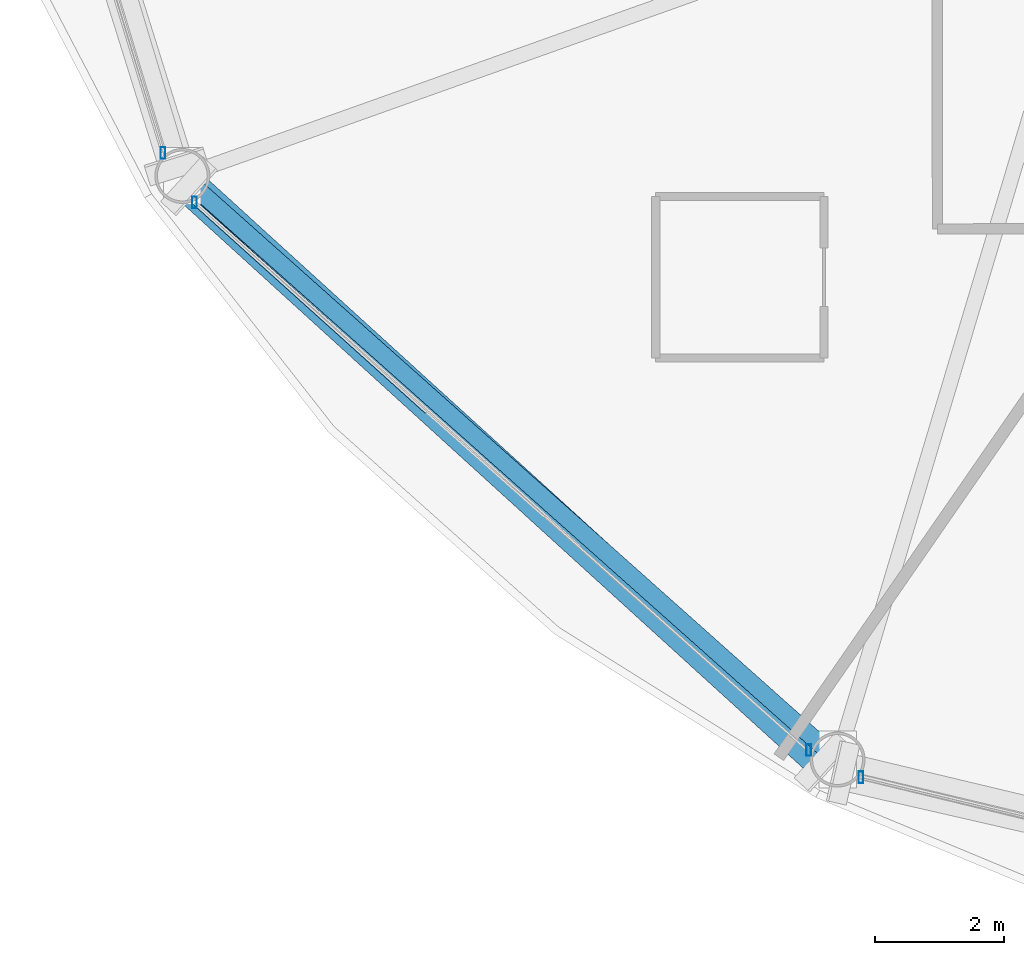
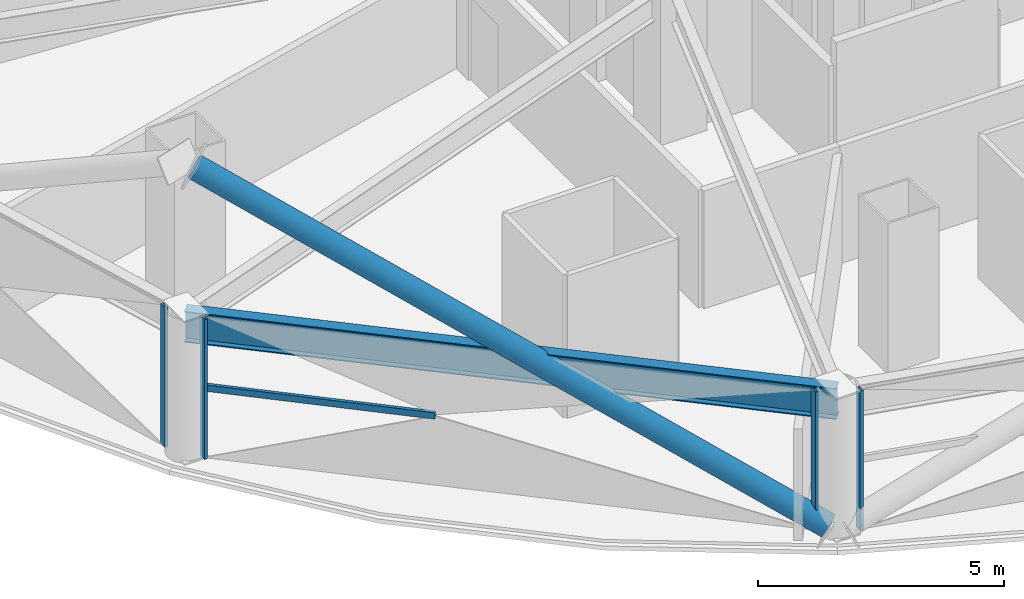
# One storey, part 2 of 33: 6 members, 1 beam, 3 elements without a shape of their own.
"""IFC4 building model written with IfcOpenShell, lengths in metres."""

from ifc_helpers import new_model, si_unit, direction, frame, origin, origin_2d, place, context, subcontext, project, spatial, hollow_rectangle, hollow_circle, i_section, extrude, material, layer, layer_set, material_profile, profile_set, type_object, element, aggregate, save


model = new_model("IFC4")

# Units and contexts
model_context = context("Model", 3, precision=1e-05, world=origin(), true_north=direction((0.0, 1.0)))
body_context = subcontext(model_context, "Body", "Model", "MODEL_VIEW")
ifc_project = project(units=[si_unit("LENGTHUNIT", "METRE"), si_unit("AREAUNIT", "SQUARE_METRE"), si_unit("VOLUMEUNIT", "CUBIC_METRE"), si_unit("PLANEANGLEUNIT", "RADIAN"), si_unit("MASSUNIT", "GRAM", prefix="KILO")], contexts=[model_context])

# Site, building, storey
site_placement = place(None, origin())
site = spatial("IfcSite", under=ifc_project, at=site_placement, CompositionType="ELEMENT")
building_placement = place(site_placement, origin())
building = spatial("IfcBuilding", under=site, at=building_placement, Name="Vantalir Tower", CompositionType="ELEMENT")
storey_placement = place(building_placement, frame((0.0, 0.0, 72.0)))
storey = spatial("IfcBuildingStorey", under=building, at=storey_placement, Name="L17", CompositionType="ELEMENT", Elevation=72.0)

# Beam
ifc_material_1 = material(Name="Steel S460", Category="steel")
ifc_material_profile_1 = material_profile(ifc_material_1, i_section(OverallWidth=0.26806640625, OverallDepth=0.77001953125, WebThickness=0.015625, FlangeThickness=0.025390625, at=origin_2d()), Name="Steel S460")
ifc_profile_set_1 = profile_set([ifc_material_profile_1], Name="Steel S460")
beam_type = type_object("IfcBeamType", Name="BM-RG-762x267", PredefinedType="USERDEFINED", material=ifc_profile_set_1)
beam_placement = place(storey_placement, frame((7.553955078125, 12.68505859375, 3.18505859375), z_axis=(0.746762968032, -0.66509027175, 0.0), x_axis=(0.66509027175, 0.746762968032, 0.0)))
element("IfcBeam", 1, at=beam_placement, inside=storey, type_object=beam_type, Name="L17 Circumferential Ring Girder 08", ObjectType="GIRDER", PredefinedType="USERDEFINED", context=body_context, shape_type="SweptSolid", body=[
    extrude(i_section(OverallWidth=0.26806640625, OverallDepth=0.77001953125, WebThickness=0.015625, FlangeThickness=0.025390625, at=origin_2d()), origin(), (0.0, 0.0, 1.0), 13.55322265625),
])

# Curtain wall, member
ifc_material_2 = material(Name="Champagne-silver PVDF aluminium and double-silver Low-E glass", Category="aluminium")
ifc_layer = layer(ifc_material_2, 0.18994140625)
ifc_layer_set = layer_set([ifc_layer], Name="Champagne-silver PVDF aluminium and double-silver Low-E glass")
curtain_wall_type = type_object("IfcCurtainWallType", Name="CW-DIAMOND-Z1", PredefinedType="USERDEFINED", material=ifc_layer_set)
curtain_wall_1_placement = place(storey_placement, origin())
curtain_wall_1 = element("IfcCurtainWall", 2, at=curtain_wall_1_placement, inside=storey, type_object=curtain_wall_type, Name="L17 Quilted Pyramid-Diamond Curtain Wall S07", ObjectType="UNITISED CURTAIN WALL", PredefinedType="USERDEFINED")
ifc_material_3 = material(Name="Champagne-silver PVDF aluminium 6063-T6", Category="aluminium")
ifc_material_profile_2 = material_profile(ifc_material_3, hollow_rectangle(XDim=0.074951171875, YDim=0.179931640625, WallThickness=0.00390625, at=origin_2d()), Name="Champagne-silver PVDF aluminium 6063-T6")
ifc_profile_set_2 = profile_set([ifc_material_profile_2], Name="Champagne-silver PVDF aluminium 6063-T6")
member_type_1 = type_object("IfcMemberType", Name="CWM-180x75", PredefinedType="MULLION", material=ifc_profile_set_2)
member_1_placement = place(storey_placement, frame((7.2548828125, 13.0400390625, 0.044921875), z_axis=(0.0, 0.0, 1.0), x_axis=(1.0, 0.0, 0.0)))
member_1 = element("IfcMember", 3, at=member_1_placement, type_object=member_type_1, Name="CW-L17-S07 Mullion 2", PredefinedType="MULLION", context=body_context, shape_type="SweptSolid", body=[
    extrude(hollow_rectangle(XDim=0.074951171875, YDim=0.179931640625, WallThickness=0.00390625, at=origin_2d()), origin(), (0.0, 0.0, 1.0), 3.47998046875),
])
aggregate(curtain_wall_1, [member_1])

# Curtain wall, members
curtain_wall_2_placement = place(storey_placement, origin())
curtain_wall_2 = element("IfcCurtainWall", 4, at=curtain_wall_2_placement, inside=storey, type_object=curtain_wall_type, Name="L17 Quilted Pyramid-Diamond Curtain Wall S08", ObjectType="UNITISED CURTAIN WALL", PredefinedType="USERDEFINED")
member_2_placement = place(storey_placement, frame((7.740966796875, 12.277099609375, 0.044921875), z_axis=(0.0, 0.0, 1.0), x_axis=(1.0, 0.0, 0.0)))
member_2 = element("IfcMember", 5, at=member_2_placement, type_object=member_type_1, Name="CW-L17-S08 Mullion 1", PredefinedType="MULLION", context=body_context, shape_type="SweptSolid", body=[
    extrude(hollow_rectangle(XDim=0.074951171875, YDim=0.179931640625, WallThickness=0.00390625, at=origin_2d()), origin(), (0.0, 0.0, 1.0), 3.47998046875),
])
member_3_placement = place(storey_placement, frame((17.22900390625, 3.819091796875, 0.044921875), z_axis=(0.0, 0.0, 1.0), x_axis=(1.0, 0.0, 0.0)))
member_3 = element("IfcMember", 6, at=member_3_placement, type_object=member_type_1, Name="CW-L17-S08 Mullion 2", PredefinedType="MULLION", context=body_context, shape_type="SweptSolid", body=[
    extrude(hollow_rectangle(XDim=0.074951171875, YDim=0.179931640625, WallThickness=0.00390625, at=origin_2d()), origin(), (0.0, 0.0, 1.0), 3.47998046875),
])

# Curtain wall, member
curtain_wall_3_placement = place(storey_placement, origin())
curtain_wall_3 = element("IfcCurtainWall", 7, at=curtain_wall_3_placement, inside=storey, type_object=curtain_wall_type, Name="L17 Quilted Pyramid-Diamond Curtain Wall S09", ObjectType="UNITISED CURTAIN WALL", PredefinedType="USERDEFINED")
member_4_placement = place(storey_placement, frame((18.037109375, 3.39697265625, 0.044921875), z_axis=(0.0, 0.0, 1.0), x_axis=(1.0, 0.0, 0.0)))
member_4 = element("IfcMember", 8, at=member_4_placement, type_object=member_type_1, Name="CW-L17-S09 Mullion 1", PredefinedType="MULLION", context=body_context, shape_type="SweptSolid", body=[
    extrude(hollow_rectangle(XDim=0.074951171875, YDim=0.179931640625, WallThickness=0.00390625, at=origin_2d()), origin(), (0.0, 0.0, 1.0), 3.47998046875),
])
aggregate(curtain_wall_3, [member_4])

# Member
ifc_material_profile_3 = material_profile(ifc_material_3, hollow_rectangle(XDim=0.074951171875, YDim=0.159912109375, WallThickness=0.00390625, at=origin_2d()), Name="Champagne-silver PVDF aluminium 6063-T6")
ifc_profile_set_3 = profile_set([ifc_material_profile_3], Name="Champagne-silver PVDF aluminium 6063-T6")
member_type_2 = type_object("IfcMemberType", Name="CWT-160x75", PredefinedType="USERDEFINED", material=ifc_profile_set_3)
member_5_placement = place(storey_placement, frame((7.740966796875, 12.277099609375, 1.784912109375), z_axis=(0.743213649988, -0.66905416109, 0.0), x_axis=(0.66905416109, 0.743213649988, 0.0)))
member_5 = element("IfcMember", 9, at=member_5_placement, type_object=member_type_2, Name="CW-L17-S08 Pyramid Fold Ridge Transom", ObjectType="TRANSOM", PredefinedType="USERDEFINED", context=body_context, shape_type="SweptSolid", body=[
    extrude(hollow_rectangle(XDim=0.074951171875, YDim=0.159912109375, WallThickness=0.00390625, at=origin_2d()), origin(), (0.0, 0.0, 1.0), 4.826171875),
])

aggregate(curtain_wall_2, [member_2, member_3, member_5])

ifc_material_profile_4 = material_profile(ifc_material_1, hollow_circle(Radius=0.27001953125, WallThickness=0.044921875, at=origin_2d()), Name="Steel S460")
ifc_profile_set_4 = profile_set([ifc_material_profile_4], Name="Steel S460")
member_type_3 = type_object("IfcMemberType", Name="MEM-DB-540x45", PredefinedType="BRACE", material=ifc_profile_set_4)
member_6_placement = place(storey_placement, frame((17.43603515625, 3.636962890625, 0.181884765625), z_axis=(-0.65453971302, 0.59539140587, 0.465925785824), x_axis=(-0.672892618787, -0.739740173022, 0.0)))
element("IfcMember", 10, at=member_6_placement, inside=storey, type_object=member_type_3, Name="L17 Perimeter S460 Diagrid Brace R25R", PredefinedType="BRACE", context=body_context, shape_type="SweptSolid", body=[
    extrude(hollow_circle(Radius=0.27001953125, WallThickness=0.044921875, at=origin_2d()), origin(), (0.0, 0.0, 1.0), 14.929443359375),
])

save(model, "model.ifc")
